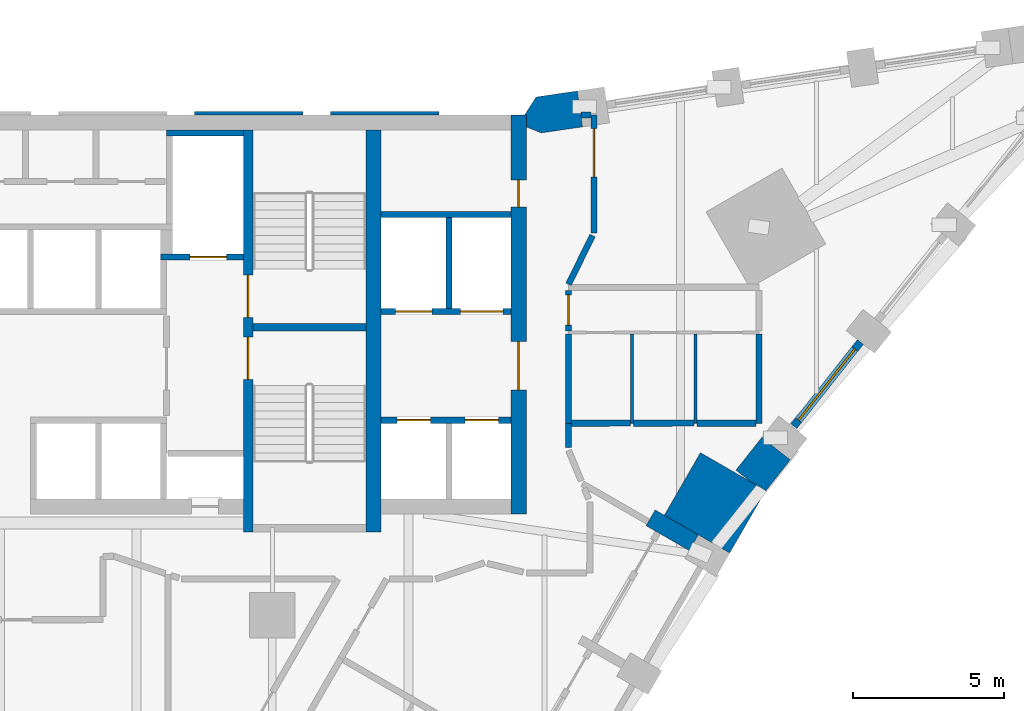
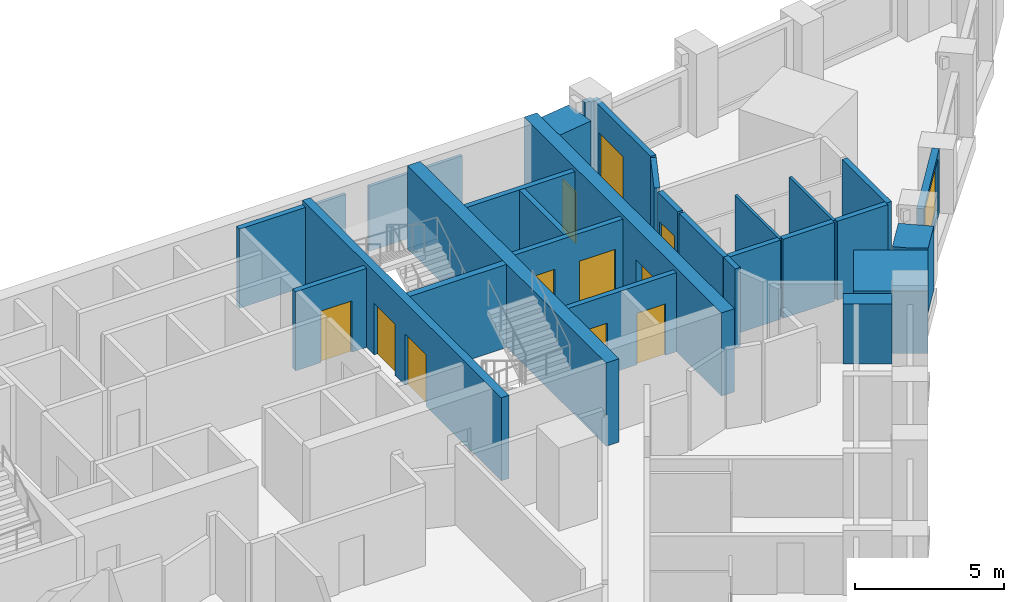
# One storey, part 8 of 11: 29 walls, 11 doors, 1 window, 12 openings.
"""IFC4 building model written with IfcOpenShell, lengths in metres."""

from ifc_helpers import new_model, si_unit, direction, frame, frame_2d, origin, place, context, subcontext, project, spatial, polyline, rectangle, outline, extrude, material, layer, layer_set, type_object, element, fill, save


model = new_model("IFC4")

# Units and contexts
model_context = context("Model", 3, precision=1e-05, world=origin(), true_north=direction((0.0, 1.0)))
body_context = subcontext(model_context, "Body", "Model", "MODEL_VIEW")
ifc_project = project(units=[si_unit("LENGTHUNIT", "METRE"), si_unit("AREAUNIT", "SQUARE_METRE"), si_unit("VOLUMEUNIT", "CUBIC_METRE"), si_unit("PLANEANGLEUNIT", "RADIAN"), si_unit("MASSUNIT", "GRAM", prefix="KILO")], contexts=[model_context])

# Site, building, storey
site_placement = place(None, origin())
site = spatial("IfcSite", under=ifc_project, at=site_placement, CompositionType="ELEMENT")
building_placement = place(site_placement, origin())
building = spatial("IfcBuilding", under=site, at=building_placement, Name="Calabash Gate Tower", CompositionType="ELEMENT")
storey_placement = place(building_placement, frame((0.0, 0.0, 119.0)))
storey = spatial("IfcBuildingStorey", under=building, at=storey_placement, Name="L27", CompositionType="ELEMENT", Elevation=119.0)

# Walls
ifc_material_1 = material(Name="Terracotta brick masonry, exposed face", Category="masonry")
ifc_layer_1 = layer(ifc_material_1, 2.5)
ifc_layer_set_1 = layer_set([ifc_layer_1], Name="Brick corner mass wall 2500")
wall_type_1 = type_object("IfcWallType", Name="Brick corner mass wall 2500", PredefinedType="SOLIDWALL", material=ifc_layer_set_1)
wall_1_placement = place(storey_placement, origin())
element("IfcWall", 1, at=wall_1_placement, inside=storey, type_object=wall_type_1, Name="Brick corner pier S07 2", PredefinedType="SOLIDWALL", context=body_context, shape_type="SweptSolid", body=[
    extrude(outline(polyline([(21.96630859375, 5.80859375), (23.09228515625, 5.15869140625), (23.09228515625, 5.15869140625), (24.131591796875, 4.558837890625), (25.326416015625, 6.628173828125), (23.161376953125, 7.878173828125), (21.96630859375, 5.80859375)])), origin(), (0.0, 0.0, 1.0), 2.552001953125),
])
ifc_material_2 = material(Name="Terracotta brick masonry, exposed face", Category="masonry")
ifc_layer_2 = layer(ifc_material_2, 1.199951171875)
ifc_layer_set_2 = layer_set([ifc_layer_2], Name="Brick end wall 1200")
wall_type_2 = type_object("IfcWallType", Name="Brick end wall 1200", PredefinedType="SOLIDWALL", material=ifc_layer_set_2)
wall_2_placement = place(storey_placement, origin())
element("IfcWall", 2, at=wall_2_placement, inside=storey, type_object=wall_type_2, Name="Brick end wall S07 1", PredefinedType="SOLIDWALL", context=body_context, shape_type="SweptSolid", body=[
    extrude(outline(polyline([(25.193115234375, 8.38427734375), (24.336181640625, 7.30029296875), (24.806640625, 6.92822265625), (25.326416015625, 6.628173828125), (25.304443359375, 6.59033203125), (26.134521484375, 7.639892578125), (25.193115234375, 8.38427734375)])), origin(), (0.0, 0.0, 1.0), 2.6298828125),
])
wall_3_placement = place(storey_placement, origin())
element("IfcWall", 3, at=wall_3_placement, inside=storey, type_object=wall_type_2, Name="Brick end wall S07 3", PredefinedType="SOLIDWALL", context=body_context, shape_type="SweptSolid", body=[
    extrude(outline(polyline([(17.7197265625, 19.646240234375), (17.341796875, 19.052490234375), (17.39990234375, 19.052490234375), (17.39990234375, 18.655517578125), (17.893798828125, 18.458984375), (19.2607421875, 18.6591796875), (19.0869140625, 19.8466796875), (17.7197265625, 19.646240234375)])), origin(), (0.0, 0.0, 1.0), 2.64990234375),
])
ifc_material_3 = material(Name="Terracotta brick masonry, exposed face", Category="masonry")
ifc_layer_3 = layer(ifc_material_3, 0.300048828125)
ifc_layer_set_3 = layer_set([ifc_layer_3], Name="Brick loggia cheek wall 300")
wall_type_3 = type_object("IfcWallType", Name="Brick loggia cheek wall 300", PredefinedType="SOLIDWALL", material=ifc_layer_set_3)
wall_4_placement = place(storey_placement, frame((22.942138671875, 4.89892578125, 0.0), z_axis=(0.0, 0.0, 1.0), x_axis=(-0.866003217194, 0.500038426333, 0.0)))
element("IfcWall", 4, at=wall_4_placement, inside=storey, type_object=wall_type_3, Name="Loggia cheek S07 SE2.8", PredefinedType="SOLIDWALL", context=body_context, shape_type="SweptSolid", body=[
    extrude(rectangle(XDim=1.649658203125, YDim=0.60009765625, at=frame_2d((0.82470703125, 0.0))), origin(), (0.0, 0.0, 1.0), 2.4501953125),
])
ifc_material_4 = material(Name="Concrete C80/95", Category="concrete")
ifc_layer_4 = layer(ifc_material_4, 0.25)
ifc_layer_set_4 = layer_set([ifc_layer_4], Name="Core wall 250 Concrete C80/95")
wall_type_4 = type_object("IfcWallType", Name="Core wall 250 Concrete C80/95", PredefinedType="SHEAR", material=ifc_layer_set_4)
wall_5_placement = place(storey_placement, frame((8.35009765625, 12.027587890625, 0.0), z_axis=(0.0, 0.0, 1.0), x_axis=(1.0, 0.0, 0.0)))
element("IfcWall", 5, at=wall_5_placement, inside=storey, type_object=wall_type_4, Name="Core wall Z2-MIDE L27", PredefinedType="SHEAR", context=body_context, shape_type="SweptSolid", body=[
    extrude(rectangle(XDim=3.75, YDim=0.25, at=frame_2d((1.875, 0.0))), origin(), (0.0, 0.0, 1.0), 3.39990234375),
])

# Wall, openings, doors
ifc_material_5 = material(Name="Concrete C80/95", Category="concrete")
ifc_layer_5 = layer(ifc_material_5, 0.300048828125)
ifc_layer_set_5 = layer_set([ifc_layer_5], Name="Core wall 300 Concrete C80/95")
wall_type_5 = type_object("IfcWallType", Name="Core wall 300 Concrete C80/95", PredefinedType="SHEAR", material=ifc_layer_set_5)
wall_6_placement = place(storey_placement, frame((8.199951171875, 5.252685546875, 0.0), z_axis=(0.0, 0.0, 1.0), x_axis=(0.0, 1.0, 0.0)))
wall_6 = element("IfcWall", 6, at=wall_6_placement, inside=storey, type_object=wall_type_5, Name="Core wall Z2-PARTE L27", PredefinedType="SHEAR", context=body_context, shape_type="SweptSolid", body=[
    extrude(rectangle(XDim=13.2998046875, YDim=0.300048828125, at=frame_2d((6.64990234375, 0.0))), origin(), (0.0, 0.0, 1.0), 3.39990234375),
])
opening_1_placement = place(wall_6_placement, frame((7.10009765625, 0.0, 0.0)))
opening_1 = element("IfcOpeningElement", 7, at=opening_1_placement, cuts=wall_6, Name="Opening H7-016", PredefinedType="OPENING", context=body_context, shape_type="SweptSolid", body=[
    extrude(rectangle(XDim=1.39990234375, YDim=2.10009765625, at=frame_2d((0.699951171875, 1.050048828125))), frame((0.0, 0.159912109375, 0.0), z_axis=(0.0, -1.0, 0.0), x_axis=(1.0, 0.0, 0.0)), (0.0, 0.0, 1.0), 0.320068359375),
])
opening_2_placement = place(wall_6_placement, frame((5.050048828125, 0.0, 0.0)))
opening_2 = element("IfcOpeningElement", 8, at=opening_2_placement, cuts=wall_6, Name="Opening H7-017", PredefinedType="OPENING", context=body_context, shape_type="SweptSolid", body=[
    extrude(rectangle(XDim=1.39990234375, YDim=2.10009765625, at=frame_2d((0.699951171875, 1.050048828125))), frame((0.0, 0.159912109375, 0.0), z_axis=(0.0, -1.0, 0.0), x_axis=(1.0, 0.0, 0.0)), (0.0, 0.0, 1.0), 0.320068359375),
])
ifc_material_6 = material(Name="Steel fire door set with fire-resisting glazing", Category="steel")
door_type_1 = type_object("IfcDoorType", Name="Fire door D05 1400x2100 FD90", OperationType="NOTDEFINED", PredefinedType="DOOR", material=ifc_material_6)
door_1_placement = place(opening_1_placement, origin())
door_1 = element("IfcDoor", 9, at=door_1_placement, inside=storey, type_object=door_type_1, Name="Exit stair door ST3", OperationType="SINGLE_SWING_RIGHT", OverallHeight=2.10009765625, OverallWidth=1.39990234375, PredefinedType="DOOR", context=body_context, shape_type="SweptSolid", body=[
    extrude(rectangle(XDim=1.39990234375, YDim=2.10009765625, at=frame_2d((0.699951171875, 1.050048828125))), frame((0.0, 0.02490234375, 0.0), z_axis=(0.0, -1.0, 0.0), x_axis=(1.0, 0.0, 0.0)), (0.0, 0.0, 1.0), 0.050048828125),
])
fill(opening_1, door_1)
door_2_placement = place(opening_2_placement, origin())
door_2 = element("IfcDoor", 10, at=door_2_placement, inside=storey, type_object=door_type_1, Name="Exit stair door ST4", OperationType="SINGLE_SWING_LEFT", OverallHeight=2.10009765625, OverallWidth=1.39990234375, PredefinedType="DOOR", context=body_context, shape_type="SweptSolid", body=[
    extrude(rectangle(XDim=1.39990234375, YDim=2.10009765625, at=frame_2d((0.699951171875, 1.050048828125))), frame((0.0, 0.02490234375, 0.0), z_axis=(0.0, -1.0, 0.0), x_axis=(1.0, 0.0, 0.0)), (0.0, 0.0, 1.0), 0.050048828125),
])
fill(opening_2, door_2)

# Wall
ifc_material_7 = material(Name="Concrete C80/95", Category="concrete")
ifc_layer_6 = layer(ifc_material_7, 0.5)
ifc_layer_set_6 = layer_set([ifc_layer_6], Name="Core wall 500 Concrete C80/95")
wall_type_6 = type_object("IfcWallType", Name="Core wall 500 Concrete C80/95", PredefinedType="SHEAR", material=ifc_layer_set_6)
wall_7_placement = place(storey_placement, frame((12.35009765625, 5.252685546875, 0.0), z_axis=(0.0, 0.0, 1.0), x_axis=(0.0, 1.0, 0.0)))
element("IfcWall", 11, at=wall_7_placement, inside=storey, type_object=wall_type_6, Name="Core wall Z2-COLE L27", PredefinedType="SHEAR", context=body_context, shape_type="SweptSolid", body=[
    extrude(rectangle(XDim=13.2998046875, YDim=0.5, at=frame_2d((6.64990234375, 0.0))), origin(), (0.0, 0.0, 1.0), 3.39990234375),
])

# Wall, openings, doors
wall_8_placement = place(storey_placement, frame((17.14990234375, 5.8525390625, 0.0), z_axis=(0.0, 0.0, 1.0), x_axis=(0.0, 1.0, 0.0)))
wall_8 = element("IfcWall", 12, at=wall_8_placement, inside=storey, type_object=wall_type_6, Name="Core wall Z2-ENDE L27", PredefinedType="SHEAR", context=body_context, shape_type="SweptSolid", body=[
    extrude(rectangle(XDim=13.199951171875, YDim=0.5, at=frame_2d((6.60009765625, 0.0))), origin(), (0.0, 0.0, 1.0), 3.39990234375),
])
opening_3_placement = place(wall_8_placement, frame((4.10009765625, 0.0, 0.0)))
opening_3 = element("IfcOpeningElement", 13, at=opening_3_placement, cuts=wall_8, Name="Opening H7-002", PredefinedType="OPENING", context=body_context, shape_type="SweptSolid", body=[
    extrude(rectangle(XDim=1.60009765625, YDim=2.10009765625, at=frame_2d((0.800048828125, 1.050048828125))), frame((0.0, 0.260009765625, 0.0), z_axis=(0.0, -1.0, 0.0), x_axis=(1.0, 0.0, 0.0)), (0.0, 0.0, 1.0), 0.52001953125),
])
opening_4_placement = place(wall_8_placement, frame((10.14990234375, 0.0, 0.0)))
opening_4 = element("IfcOpeningElement", 14, at=opening_4_placement, cuts=wall_8, Name="Opening H7-001", PredefinedType="OPENING", context=body_context, shape_type="SweptSolid", body=[
    extrude(rectangle(XDim=0.89990234375, YDim=2.10009765625, at=frame_2d((0.449951171875, 1.050048828125))), frame((0.0, 0.260009765625, 0.0), z_axis=(0.0, -1.0, 0.0), x_axis=(1.0, 0.0, 0.0)), (0.0, 0.0, 1.0), 0.52001953125),
])
ifc_material_8 = material(Name="Steel fire door set with fire-resisting glazing", Category="steel")
door_type_2 = type_object("IfcDoorType", Name="Double fire door D08 1600x2100 FD60", OperationType="DOUBLE_DOOR_SINGLE_SWING", PredefinedType="DOOR", material=ifc_material_8)
door_3_placement = place(opening_3_placement, origin())
door_3 = element("IfcDoor", 15, at=door_3_placement, inside=storey, type_object=door_type_2, Name="Low-rise Lift Lobby E door", OperationType="DOUBLE_DOOR_SINGLE_SWING", OverallHeight=2.10009765625, OverallWidth=1.60009765625, PredefinedType="DOOR", context=body_context, shape_type="SweptSolid", body=[
    extrude(rectangle(XDim=1.60009765625, YDim=2.10009765625, at=frame_2d((0.800048828125, 1.050048828125))), frame((0.0, 0.02490234375, 0.0), z_axis=(0.0, -1.0, 0.0), x_axis=(1.0, 0.0, 0.0)), (0.0, 0.0, 1.0), 0.050048828125),
])
fill(opening_3, door_3)
ifc_material_9 = material(Name="Steel fire door set with fire-resisting glazing", Category="steel")
door_type_3 = type_object("IfcDoorType", Name="Fire door D06 900x2100 FD60", OperationType="NOTDEFINED", PredefinedType="DOOR", material=ifc_material_9)
door_4_placement = place(opening_4_placement, origin())
door_4 = element("IfcDoor", 16, at=door_4_placement, inside=storey, type_object=door_type_3, Name="Cleaner's Store door", OperationType="SINGLE_SWING_LEFT", OverallHeight=2.10009765625, OverallWidth=0.89990234375, PredefinedType="DOOR", context=body_context, shape_type="SweptSolid", body=[
    extrude(rectangle(XDim=0.89990234375, YDim=2.10009765625, at=frame_2d((0.449951171875, 1.050048828125))), frame((0.0, 0.02490234375, 0.0), z_axis=(0.0, -1.0, 0.0), x_axis=(1.0, 0.0, 0.0)), (0.0, 0.0, 1.0), 0.050048828125),
])
fill(opening_4, door_4)

# Walls
ifc_material_10 = material(Name="Gypsum board on steel studs, mineral wool", Category="steel")
ifc_layer_7 = layer(ifc_material_10, 0.10009765625)
ifc_layer_set_7 = layer_set([ifc_layer_7], Name="Partition 100 gypsum board")
wall_type_7 = type_object("IfcWallType", Name="Partition 100 gypsum board", PredefinedType="PARTITIONING", material=ifc_layer_set_7)
for number, where, z_axis, x_axis, name in (
    (17, (20.900146484375, 8.852294921875, 0.0), (0.0, 0.0, 1.0), (0.000662525735, 0.99999978053, 0.0), "Partition"),
    (18, (23.000244140625, 8.852294921875, 0.0), (0.0, 0.0, 1.0), (0.000579710048, 0.999999831968, 0.0), "Partition"),
):
    element("IfcWall", number, at=place(storey_placement, frame(where, z_axis=z_axis, x_axis=x_axis)), inside=storey, type_object=wall_type_7, Name=name, PredefinedType="PARTITIONING", context=body_context, shape_type="SweptSolid", body=[
        extrude(rectangle(XDim=2.947998046875, YDim=0.10009765625, at=frame_2d((1.47412109375, 0.0))), origin(), (0.0, 0.0, 1.0), 3.22998046875),
    ])
ifc_material_11 = material(Name="Gypsum board on steel studs, mineral wool", Category="steel")
ifc_layer_8 = layer(ifc_material_11, 0.199951171875)
ifc_layer_set_8 = layer_set([ifc_layer_8], Name="Partition 200 gypsum board EI 60")
wall_type_8 = type_object("IfcWallType", Name="Partition 200 gypsum board EI 60", PredefinedType="PARTITIONING", material=ifc_layer_set_8)
wall_9_placement = place(storey_placement, frame((18.80078125, 8.052734375, 0.0), z_axis=(0.0, 0.0, 1.0), x_axis=(0.001527182092, 0.999998833857, 0.0)))
element("IfcWall", 19, at=wall_9_placement, inside=storey, type_object=wall_type_8, Name="Partition", PredefinedType="PARTITIONING", context=body_context, shape_type="SweptSolid", body=[
    extrude(rectangle(XDim=0.79931640625, YDim=0.199951171875, at=frame_2d((0.399658203125, 0.0))), origin(), (0.0, 0.0, 1.0), 3.22998046875),
])
wall_10_placement = place(storey_placement, frame((18.900146484375, 8.852294921875, 0.0), z_axis=(0.0, 0.0, 1.0), x_axis=(0.999999615941, 0.000876423853, 0.0)))
element("IfcWall", 20, at=wall_10_placement, inside=storey, type_object=wall_type_8, Name="Partition", PredefinedType="PARTITIONING", context=body_context, shape_type="SweptSolid", body=[
    extrude(rectangle(XDim=1.949951171875, YDim=0.199951171875, at=frame_2d((0.97509765625, 0.0))), origin(), (0.0, 0.0, 1.0), 3.22998046875),
])
wall_11_placement = place(storey_placement, frame((20.9501953125, 8.852294921875, 0.0), z_axis=(0.0, 0.0, 1.0), x_axis=(0.999999634833, 0.000854596196, 0.0)))
element("IfcWall", 21, at=wall_11_placement, inside=storey, type_object=wall_type_8, Name="Partition", PredefinedType="PARTITIONING", context=body_context, shape_type="SweptSolid", body=[
    extrude(rectangle(XDim=1.999755859375, YDim=0.199951171875, at=frame_2d((1.0, 0.0))), origin(), (0.0, 0.0, 1.0), 3.22998046875),
])
wall_12_placement = place(storey_placement, frame((23.05029296875, 8.852294921875, 0.0), z_axis=(0.0, 0.0, 1.0), x_axis=(1.0, 0.0, 0.0)))
element("IfcWall", 22, at=wall_12_placement, inside=storey, type_object=wall_type_8, Name="Partition", PredefinedType="PARTITIONING", context=body_context, shape_type="SweptSolid", body=[
    extrude(rectangle(XDim=1.94970703125, YDim=0.199951171875, at=frame_2d((0.974853515625, 0.0))), origin(), (0.0, 0.0, 1.0), 3.22998046875),
])
for number, where, z_axis, x_axis, name in (
    (23, (25.098388671875, 11.802001953125, 0.0), (0.0, 0.0, 1.0), (0.000579374179, -0.999999832163, 0.0), "Partition"),
    (24, (18.80029296875, 8.852294921875, 0.0), (0.0, 0.0, 1.0), (0.000579374179, 0.999999832163, 0.0), "Partition"),
):
    element("IfcWall", number, at=place(storey_placement, frame(where, z_axis=z_axis, x_axis=x_axis)), inside=storey, type_object=wall_type_8, Name=name, PredefinedType="PARTITIONING", context=body_context, shape_type="SweptSolid", body=[
        extrude(rectangle(XDim=2.94970703125, YDim=0.199951171875, at=frame_2d((1.474853515625, 0.0))), origin(), (0.0, 0.0, 1.0), 3.22998046875),
    ])

# Wall, opening, door
wall_13_placement = place(storey_placement, frame((18.80029296875, 11.90234375, 0.0), z_axis=(0.0, 0.0, 1.0), x_axis=(0.001267655628, 0.999999196524, 0.0)))
wall_13 = element("IfcWall", 25, at=wall_13_placement, inside=storey, type_object=wall_type_8, Name="Partition", PredefinedType="PARTITIONING", context=body_context, shape_type="SweptSolid", body=[
    extrude(rectangle(XDim=1.34814453125, YDim=0.199951171875, at=frame_2d((0.674072265625, 0.0))), origin(), (0.0, 0.0, 1.0), 3.22998046875),
])
opening_5_placement = place(wall_13_placement, frame((0.199951171875, 0.0, 0.0)))
opening_5 = element("IfcOpeningElement", 26, at=opening_5_placement, cuts=wall_13, Name="Opening 25-27-018", PredefinedType="OPENING", context=body_context, shape_type="SweptSolid", body=[
    extrude(rectangle(XDim=1.0, YDim=2.10009765625, at=frame_2d((0.5, 1.050048828125))), frame((0.0, 0.10986328125, 0.0), z_axis=(0.0, -1.0, 0.0), x_axis=(1.0, 0.0, 0.0)), (0.0, 0.0, 1.0), 0.219970703125),
])
ifc_material_12 = material(Name="Steel fire door set with fire-resisting glazing", Category="steel")
door_type_4 = type_object("IfcDoorType", Name="WD3 WC lobby door 1000x2100", OperationType="NOTDEFINED", PredefinedType="DOOR", material=ifc_material_12)
door_5_placement = place(opening_5_placement, origin())
door_5 = element("IfcDoor", 27, at=door_5_placement, inside=storey, type_object=door_type_4, Name="WC lobby door", OperationType="SINGLE_SWING_LEFT", OverallHeight=2.10009765625, OverallWidth=1.0, PredefinedType="DOOR", context=body_context, shape_type="SweptSolid", body=[
    extrude(rectangle(XDim=1.0, YDim=2.10009765625, at=frame_2d((0.5, 1.050048828125))), frame((0.0, 0.02490234375, 0.0), z_axis=(0.0, -1.0, 0.0), x_axis=(1.0, 0.0, 0.0)), (0.0, 0.0, 1.0), 0.050048828125),
])
fill(opening_5, door_5)

# Wall
wall_14_placement = place(storey_placement, frame((18.800537109375, 13.452392578125, 0.0), z_axis=(0.0, 0.0, 1.0), x_axis=(0.440230384159, 0.897884852786, 0.0)))
element("IfcWall", 28, at=wall_14_placement, inside=storey, type_object=wall_type_8, Name="Partition", PredefinedType="PARTITIONING", context=body_context, shape_type="SweptSolid", body=[
    extrude(rectangle(XDim=1.79345703125, YDim=0.199951171875, at=frame_2d((0.896728515625, 0.0))), origin(), (0.0, 0.0, 1.0), 3.22998046875),
])

# Wall, opening, door
wall_15_placement = place(storey_placement, frame((19.634033203125, 15.152587890625, 0.0), z_axis=(0.0, 0.0, 1.0), x_axis=(0.0, 1.0, 0.0)))
wall_15 = element("IfcWall", 29, at=wall_15_placement, inside=storey, type_object=wall_type_8, Name="Partition", PredefinedType="PARTITIONING", context=body_context, shape_type="SweptSolid", body=[
    extrude(rectangle(XDim=3.89990234375, YDim=0.199951171875, at=frame_2d((1.949951171875, 0.0))), origin(), (0.0, 0.0, 1.0), 3.22998046875),
])
opening_6_placement = place(wall_15_placement, frame((1.85009765625, 0.0, 0.0)))
opening_6 = element("IfcOpeningElement", 30, at=opening_6_placement, cuts=wall_15, Name="Opening 25-27-024", PredefinedType="OPENING", context=body_context, shape_type="SweptSolid", body=[
    extrude(rectangle(XDim=1.60009765625, YDim=2.10009765625, at=frame_2d((0.800048828125, 1.050048828125))), frame((0.0, 0.10986328125, 0.0), z_axis=(0.0, -1.0, 0.0), x_axis=(1.0, 0.0, 0.0)), (0.0, 0.0, 1.0), 0.219970703125),
])
ifc_material_13 = material(Name="Steel fire door set with fire-resisting glazing", Category="steel")
door_type_5 = type_object("IfcDoorType", Name="LD1 Lounge double door 1600x2100", OperationType="NOTDEFINED", PredefinedType="DOOR", material=ifc_material_13)
door_6_placement = place(opening_6_placement, origin())
door_6 = element("IfcDoor", 31, at=door_6_placement, inside=storey, type_object=door_type_5, Name="Lounge double door", OperationType="DOUBLE_DOOR_SINGLE_SWING", OverallHeight=2.10009765625, OverallWidth=1.60009765625, PredefinedType="DOOR", context=body_context, shape_type="SweptSolid", body=[
    extrude(rectangle(XDim=1.60009765625, YDim=2.10009765625, at=frame_2d((0.800048828125, 1.050048828125))), frame((0.0, 0.02490234375, 0.0), z_axis=(0.0, -1.0, 0.0), x_axis=(1.0, 0.0, 0.0)), (0.0, 0.0, 1.0), 0.050048828125),
])
fill(opening_6, door_6)

# Wall
wall_16_placement = place(storey_placement, frame((19.203125, 19.052734375, 0.0), z_axis=(0.0, 0.0, 1.0), x_axis=(0.999999728074, -0.000737462926, 0.0)))
element("IfcWall", 32, at=wall_16_placement, inside=storey, type_object=wall_type_8, Name="Partition", PredefinedType="PARTITIONING", context=body_context, shape_type="SweptSolid", body=[
    extrude(rectangle(XDim=0.3310546875, YDim=0.199951171875, at=frame_2d((0.16552734375, 0.0))), origin(), (0.0, 0.0, 1.0), 3.22998046875),
])

# Wall, opening, window
ifc_material_14 = material(Name="Aluminium framed window wall with insulated spandrel", Category="aluminium")
ifc_layer_9 = layer(ifc_material_14, 0.25)
ifc_layer_set_9 = layer_set([ifc_layer_9], Name="Prow window wall 250")
wall_type_9 = type_object("IfcWallType", Name="Prow window wall 250", PredefinedType="ELEMENTEDWALL", material=ifc_layer_set_9)
wall_17_placement = place(storey_placement, frame((26.253173828125, 8.757080078125, 0.0), z_axis=(0.0, 0.0, 1.0), x_axis=(0.620259189042, 0.784396926568, 0.0)))
wall_17 = element("IfcWall", 33, at=wall_17_placement, inside=storey, type_object=wall_type_9, Name="Prow window wall S07 wedge3.1", PredefinedType="ELEMENTEDWALL", context=body_context, shape_type="SweptSolid", body=[
    extrude(rectangle(XDim=3.552001953125, YDim=0.25, at=frame_2d((1.77587890625, 0.0))), origin(), (0.0, 0.0, 1.0), 2.6298828125),
])
opening_7_placement = place(wall_17_placement, frame((0.25, 0.0, 0.300048828125)))
opening_7 = element("IfcOpeningElement", 34, at=opening_7_placement, cuts=wall_17, Name="Opening WP1L-2130", PredefinedType="OPENING", context=body_context, shape_type="SweptSolid", body=[
    extrude(rectangle(XDim=3.0, YDim=2.1298828125, at=frame_2d((1.5, 1.06494140625))), frame((0.0, 0.135009765625, 0.0), z_axis=(0.0, -1.0, 0.0), x_axis=(1.0, 0.0, 0.0)), (0.0, 0.0, 1.0), 0.27001953125),
])
ifc_material_15 = material(Name="Anodised aluminium frame, bronze finish, impact-rated laminated clear glazing", Category="aluminium")
window_type = type_object("IfcWindowType", Name="Window WP1L 3000x2130", PartitioningType="DOUBLE_PANEL_VERTICAL", PredefinedType="WINDOW", material=ifc_material_15)
window_placement = place(opening_7_placement, origin())
window = element("IfcWindow", 35, at=window_placement, inside=storey, type_object=window_type, Name="Prow window WP1L S07 wedge3.1", OverallHeight=2.1298828125, OverallWidth=3.0, PartitioningType="SINGLE_PANEL", PredefinedType="WINDOW", context=body_context, shape_type="SweptSolid", body=[
    extrude(rectangle(XDim=3.0, YDim=2.1298828125, at=frame_2d((1.5, 1.06494140625))), frame((0.0, 0.030029296875, 0.0), z_axis=(0.0, -1.0, 0.0), x_axis=(1.0, 0.0, 0.0)), (0.0, 0.0, 1.0), 0.06005859375),
])
fill(opening_7, window)

# Wall, openings, doors
ifc_material_16 = material(Name="Concrete C40/50", Category="concrete")
ifc_layer_10 = layer(ifc_material_16, 0.199951171875)
ifc_layer_set_10 = layer_set([ifc_layer_10], Name="Shaft wall 200 Concrete C40/50")
wall_type_10 = type_object("IfcWallType", Name="Shaft wall 200 Concrete C40/50", PredefinedType="SOLIDWALL", material=ifc_layer_set_10)
wall_18_placement = place(storey_placement, frame((12.60009765625, 8.95263671875, 0.0), z_axis=(0.0, 0.0, 1.0), x_axis=(1.0, 0.0, 0.0)))
wall_18 = element("IfcWall", 36, at=wall_18_placement, inside=storey, type_object=wall_type_10, Name="Shaft wall", PredefinedType="SOLIDWALL", context=body_context, shape_type="SweptSolid", body=[
    extrude(rectangle(XDim=4.2998046875, YDim=0.199951171875, at=frame_2d((2.14990234375, 0.0))), origin(), (0.0, 0.0, 1.0), 3.22998046875),
])
opening_8_placement = place(wall_18_placement, frame((0.52490234375, 0.0, 0.0)))
opening_8 = element("IfcOpeningElement", 37, at=opening_8_placement, cuts=wall_18, Name="Opening LD-LR5", PredefinedType="OPENING", context=body_context, shape_type="SweptSolid", body=[
    extrude(rectangle(XDim=1.10009765625, YDim=2.10009765625, at=frame_2d((0.550048828125, 1.050048828125))), frame((0.0, 0.10986328125, 0.0), z_axis=(0.0, -1.0, 0.0), x_axis=(1.0, 0.0, 0.0)), (0.0, 0.0, 1.0), 0.219970703125),
])
opening_9_placement = place(wall_18_placement, frame((2.77490234375, 0.0, 0.0)))
opening_9 = element("IfcOpeningElement", 38, at=opening_9_placement, cuts=wall_18, Name="Opening LD-LR6", PredefinedType="OPENING", context=body_context, shape_type="SweptSolid", body=[
    extrude(rectangle(XDim=1.10009765625, YDim=2.10009765625, at=frame_2d((0.550048828125, 1.050048828125))), frame((0.0, 0.10986328125, 0.0), z_axis=(0.0, -1.0, 0.0), x_axis=(1.0, 0.0, 0.0)), (0.0, 0.0, 1.0), 0.219970703125),
])
ifc_material_17 = material(Name="Stainless steel sliding door leaves", Category="steel")
door_type_6 = type_object("IfcDoorType", Name="Lift landing door LS1 1100x2100 FD90", OperationType="DOUBLE_DOOR_SLIDING", PredefinedType="DOOR", material=ifc_material_17)
door_7_placement = place(opening_8_placement, origin())
door_7 = element("IfcDoor", 39, at=door_7_placement, inside=storey, type_object=door_type_6, Name="Lift landing door LR5", OperationType="DOUBLE_DOOR_SLIDING", OverallHeight=2.10009765625, OverallWidth=1.10009765625, PredefinedType="DOOR", context=body_context, shape_type="SweptSolid", body=[
    extrude(rectangle(XDim=1.10009765625, YDim=2.10009765625, at=frame_2d((0.550048828125, 1.050048828125))), frame((0.0, 0.02490234375, 0.0), z_axis=(0.0, -1.0, 0.0), x_axis=(1.0, 0.0, 0.0)), (0.0, 0.0, 1.0), 0.050048828125),
])
fill(opening_8, door_7)
door_8_placement = place(opening_9_placement, origin())
door_8 = element("IfcDoor", 40, at=door_8_placement, inside=storey, type_object=door_type_6, Name="Lift landing door LR6", OperationType="DOUBLE_DOOR_SLIDING", OverallHeight=2.10009765625, OverallWidth=1.10009765625, PredefinedType="DOOR", context=body_context, shape_type="SweptSolid", body=[
    extrude(rectangle(XDim=1.10009765625, YDim=2.10009765625, at=frame_2d((0.550048828125, 1.050048828125))), frame((0.0, 0.02490234375, 0.0), z_axis=(0.0, -1.0, 0.0), x_axis=(1.0, 0.0, 0.0)), (0.0, 0.0, 1.0), 0.050048828125),
])
fill(opening_9, door_8)

wall_19_placement = place(storey_placement, frame((12.60009765625, 12.552490234375, 0.0), z_axis=(0.0, 0.0, 1.0), x_axis=(1.0, 0.0, 0.0)))
wall_19 = element("IfcWall", 41, at=wall_19_placement, inside=storey, type_object=wall_type_10, Name="Shaft wall", PredefinedType="SOLIDWALL", context=body_context, shape_type="SweptSolid", body=[
    extrude(rectangle(XDim=4.2998046875, YDim=0.199951171875, at=frame_2d((2.14990234375, 0.0))), origin(), (0.0, 0.0, 1.0), 3.22998046875),
])
opening_10_placement = place(wall_19_placement, frame((0.47509765625, 0.0, 0.0)))
opening_10 = element("IfcOpeningElement", 42, at=opening_10_placement, cuts=wall_19, Name="Opening LD-SL1", PredefinedType="OPENING", context=body_context, shape_type="SweptSolid", body=[
    extrude(rectangle(XDim=1.199951171875, YDim=2.10009765625, at=frame_2d((0.60009765625, 1.050048828125))), frame((0.0, 0.10986328125, 0.0), z_axis=(0.0, -1.0, 0.0), x_axis=(1.0, 0.0, 0.0)), (0.0, 0.0, 1.0), 0.219970703125),
])
opening_11_placement = place(wall_19_placement, frame((2.625, 0.0, 0.0)))
opening_11 = element("IfcOpeningElement", 43, at=opening_11_placement, cuts=wall_19, Name="Opening LD-GL1", PredefinedType="OPENING", context=body_context, shape_type="SweptSolid", body=[
    extrude(rectangle(XDim=1.39990234375, YDim=2.10009765625, at=frame_2d((0.699951171875, 1.050048828125))), frame((0.0, 0.10986328125, 0.0), z_axis=(0.0, -1.0, 0.0), x_axis=(1.0, 0.0, 0.0)), (0.0, 0.0, 1.0), 0.219970703125),
])
ifc_material_18 = material(Name="Stainless steel sliding door leaves", Category="steel")
door_type_7 = type_object("IfcDoorType", Name="Lift landing door LS3 1200x2100 FD90", OperationType="DOUBLE_DOOR_SLIDING", PredefinedType="DOOR", material=ifc_material_18)
door_9_placement = place(opening_10_placement, origin())
door_9 = element("IfcDoor", 44, at=door_9_placement, inside=storey, type_object=door_type_7, Name="Lift landing door SL1", OperationType="DOUBLE_DOOR_SLIDING", OverallHeight=2.10009765625, OverallWidth=1.199951171875, PredefinedType="DOOR", context=body_context, shape_type="SweptSolid", body=[
    extrude(rectangle(XDim=1.199951171875, YDim=2.10009765625, at=frame_2d((0.60009765625, 1.050048828125))), frame((0.0, 0.02490234375, 0.0), z_axis=(0.0, -1.0, 0.0), x_axis=(1.0, 0.0, 0.0)), (0.0, 0.0, 1.0), 0.050048828125),
])
fill(opening_10, door_9)
ifc_material_19 = material(Name="Stainless steel sliding door leaves", Category="steel")
door_type_8 = type_object("IfcDoorType", Name="Lift landing door LS4 1400x2100 FD90", OperationType="DOUBLE_DOOR_SLIDING", PredefinedType="DOOR", material=ifc_material_19)
door_10_placement = place(opening_11_placement, origin())
door_10 = element("IfcDoor", 45, at=door_10_placement, inside=storey, type_object=door_type_8, Name="Lift landing door GL1", OperationType="DOUBLE_DOOR_SLIDING", OverallHeight=2.10009765625, OverallWidth=1.39990234375, PredefinedType="DOOR", context=body_context, shape_type="SweptSolid", body=[
    extrude(rectangle(XDim=1.39990234375, YDim=2.10009765625, at=frame_2d((0.699951171875, 1.050048828125))), frame((0.0, 0.02490234375, 0.0), z_axis=(0.0, -1.0, 0.0), x_axis=(1.0, 0.0, 0.0)), (0.0, 0.0, 1.0), 0.050048828125),
])
fill(opening_11, door_10)

# Wall
wall_20_placement = place(storey_placement, frame((14.85009765625, 12.652587890625, 0.0), z_axis=(0.0, 0.0, 1.0), x_axis=(0.0, 1.0, 0.0)))
element("IfcWall", 46, at=wall_20_placement, inside=storey, type_object=wall_type_10, Name="Shaft wall", PredefinedType="SOLIDWALL", context=body_context, shape_type="SweptSolid", body=[
    extrude(rectangle(XDim=3.0, YDim=0.199951171875, at=frame_2d((1.5, 0.0))), origin(), (0.0, 0.0, 1.0), 3.22998046875),
])

# Wall, opening, door
wall_21_placement = place(storey_placement, frame((5.300048828125, 14.3525390625, 0.0), z_axis=(0.0, 0.0, 1.0), x_axis=(1.0, 0.0, 0.0)))
wall_21 = element("IfcWall", 47, at=wall_21_placement, inside=storey, type_object=wall_type_10, Name="Shaft wall", PredefinedType="SOLIDWALL", context=body_context, shape_type="SweptSolid", body=[
    extrude(rectangle(XDim=2.75, YDim=0.199951171875, at=frame_2d((1.375, 0.0))), origin(), (0.0, 0.0, 1.0), 3.22998046875),
])
opening_12_placement = place(wall_21_placement, frame((0.97509765625, 0.0, 0.0)))
opening_12 = element("IfcOpeningElement", 48, at=opening_12_placement, cuts=wall_21, Name="Opening LD-FF2", PredefinedType="OPENING", context=body_context, shape_type="SweptSolid", body=[
    extrude(rectangle(XDim=1.199951171875, YDim=2.10009765625, at=frame_2d((0.60009765625, 1.050048828125))), frame((0.0, 0.10986328125, 0.0), z_axis=(0.0, -1.0, 0.0), x_axis=(1.0, 0.0, 0.0)), (0.0, 0.0, 1.0), 0.219970703125),
])
door_11_placement = place(opening_12_placement, origin())
door_11 = element("IfcDoor", 49, at=door_11_placement, inside=storey, type_object=door_type_7, Name="Lift landing door FF2", OperationType="DOUBLE_DOOR_SLIDING", OverallHeight=2.10009765625, OverallWidth=1.199951171875, PredefinedType="DOOR", context=body_context, shape_type="SweptSolid", body=[
    extrude(rectangle(XDim=1.199951171875, YDim=2.10009765625, at=frame_2d((0.60009765625, 1.050048828125))), frame((0.0, 0.02490234375, 0.0), z_axis=(0.0, -1.0, 0.0), x_axis=(1.0, 0.0, 0.0)), (0.0, 0.0, 1.0), 0.050048828125),
])
fill(opening_12, door_11)

# Walls
wall_22_placement = place(storey_placement, frame((12.60009765625, 15.752685546875, 0.0), z_axis=(0.0, 0.0, 1.0), x_axis=(1.0, 0.0, 0.0)))
element("IfcWall", 50, at=wall_22_placement, inside=storey, type_object=wall_type_10, Name="Shaft wall", PredefinedType="SOLIDWALL", context=body_context, shape_type="SweptSolid", body=[
    extrude(rectangle(XDim=4.2998046875, YDim=0.199951171875, at=frame_2d((2.14990234375, 0.0))), origin(), (0.0, 0.0, 1.0), 3.22998046875),
])
wall_23_placement = place(storey_placement, frame((5.5, 18.45263671875, 0.0), z_axis=(0.0, 0.0, 1.0), x_axis=(1.0, 0.0, 0.0)))
element("IfcWall", 51, at=wall_23_placement, inside=storey, type_object=wall_type_10, Name="Shaft wall", PredefinedType="SOLIDWALL", context=body_context, shape_type="SweptSolid", body=[
    extrude(rectangle(XDim=2.550048828125, YDim=0.199951171875, at=frame_2d((1.27490234375, 0.0))), origin(), (0.0, 0.0, 1.0), 3.22998046875),
])
ifc_material_20 = material(Name="Terracotta brick masonry, perforated", Category="masonry")
ifc_layer_11 = layer(ifc_material_20, 0.1201171875)
ifc_layer_set_11 = layer_set([ifc_layer_11], Name="Terracotta jaali cladding A 120")
wall_type_11 = type_object("IfcWallType", Name="Terracotta jaali cladding A 120", PredefinedType="SOLIDWALL", material=ifc_layer_set_11)
wall_24_placement = place(storey_placement, origin())
element("IfcWall", 52, at=wall_24_placement, inside=storey, type_object=wall_type_11, Name="Jaali cladding S07 N6.1", PredefinedType="SOLIDWALL", context=body_context, shape_type="SweptSolid", body=[
    extrude(outline(polyline([(10.9169921875, 19.172607421875), (10.9169921875, 19.052490234375), (14.51708984375, 19.052490234375), (14.51708984375, 19.172607421875), (10.9169921875, 19.172607421875)])), origin(), (0.0, 0.0, 1.0), 2.64990234375),
])
ifc_material_21 = material(Name="Terracotta louvre blades in an aluminium frame", Category="masonry")
ifc_layer_12 = layer(ifc_material_21, 0.1201171875)
ifc_layer_set_12 = layer_set([ifc_layer_12], Name="Terracotta vent louvre cladding 120")
wall_type_12 = type_object("IfcWallType", Name="Terracotta vent louvre cladding 120", PredefinedType="ELEMENTEDWALL", material=ifc_layer_set_12)
wall_25_placement = place(storey_placement, origin())
element("IfcWall", 53, at=wall_25_placement, inside=storey, type_object=wall_type_12, Name="Vent louvre cladding S07 N6.2", PredefinedType="ELEMENTEDWALL", context=body_context, shape_type="SweptSolid", body=[
    extrude(outline(polyline([(6.4169921875, 19.172607421875), (6.4169921875, 19.052490234375), (10.01708984375, 19.052490234375), (10.01708984375, 19.172607421875), (6.4169921875, 19.172607421875)])), origin(), (0.0, 0.0, 1.0), 2.64990234375),
])

save(model, "model.ifc")
